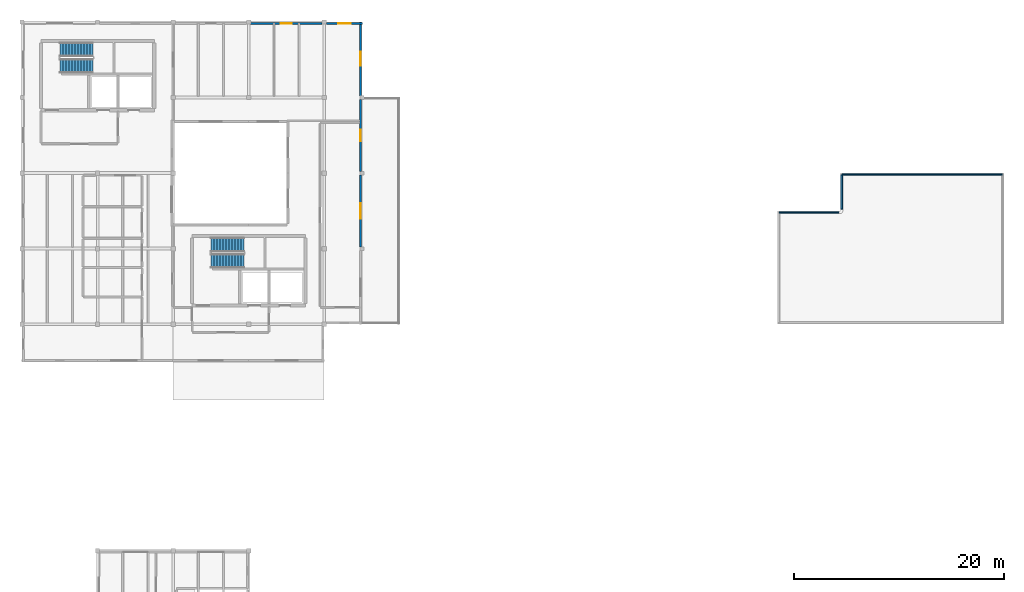
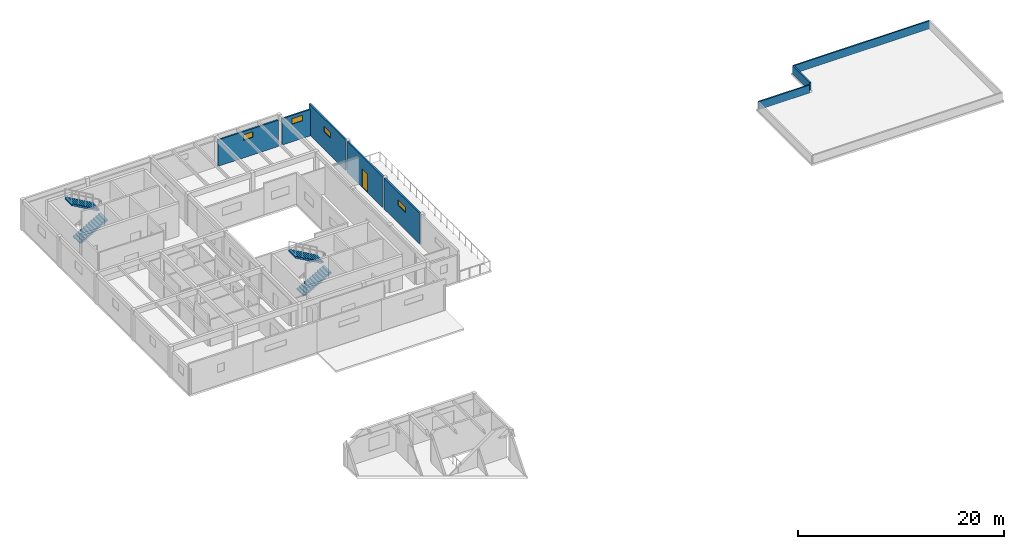
# One storey, part 7 of 12: 8 walls, 4 stair flights, 4 windows, 1 door, 5 openings, 2 elements without a shape of their own.
"""IFC4 building model written with IfcOpenShell, lengths in metres."""

import ifcopenshell
import ifcopenshell.guid

model = None  # the IFC model being written
_history = None  # IfcOwnerHistory: only IFC2X3 demands one
_inside = {}  # id of a spatial element -> (the spatial element, [elements in it])
_under = {}  # id of a project, library or spatial element -> (it, [spatial elements below it])
_declared = {}  # id of a project -> (the project, [libraries it declares])
_typed = {}  # id of a type object -> (the type object, [elements of that type])
_made_of = {}  # id of a material, layer set ... -> (it, [elements and type objects made of it])


def new_model(schema):
    """Start an empty IFC model of exactly this schema.

    Asked for "IFC4X3", IfcOpenShell would pick the latest addendum, in which some entities
    have other attributes; the version numbers below select the first issue.
    IFC2X3 requires an IfcOwnerHistory on every rooted entity: one is made here for all.
    """
    global model, _history
    if schema == "IFC4X3":
        model = ifcopenshell.file(schema_version=(4, 3, 0, 0))
    else:
        model = ifcopenshell.file(schema=schema)
    _inside.clear()
    _under.clear()
    _declared.clear()
    _typed.clear()
    _made_of.clear()
    _history = None
    if model.schema == "IFC2X3":
        org = make("IfcOrganization", Name="unknown")
        user = make(
            "IfcPersonAndOrganization",
            ThePerson=make("IfcPerson", FamilyName="unknown"),
            TheOrganization=org,
        )
        app = make(
            "IfcApplication",
            ApplicationDeveloper=org,
            Version="unknown",
            ApplicationFullName="unknown",
            ApplicationIdentifier="unknown",
        )
        _history = make(
            "IfcOwnerHistory",
            OwningUser=user,
            OwningApplication=app,
            ChangeAction="ADDED",
            CreationDate=0,
        )
    return model


def make(cls, **values):
    """One entity of the class cls with the attributes given. An attribute that is None is left unset."""
    return model.create_entity(
        cls, **{name: value for name, value in values.items() if value is not None}
    )


def rooted(cls, **values):
    """An entity with a GlobalId (a new one), such as an element, a storey or a relation."""
    return make(cls, GlobalId=ifcopenshell.guid.new(), OwnerHistory=_history, **values)


def si_unit(unit_type, name, prefix=None):
    """IfcSIUnit, for example si_unit("LENGTHUNIT", "METRE", prefix="MILLI")."""
    return make("IfcSIUnit", UnitType=unit_type, Prefix=prefix, Name=name)


def assignment(units):
    """IfcUnitAssignment: the units of a project."""
    return None if units is None else make("IfcUnitAssignment", Units=units)


def point(xyz):
    """IfcCartesianPoint."""
    return None if xyz is None else make("IfcCartesianPoint", Coordinates=xyz)


def direction(xyz):
    """IfcDirection."""
    return None if xyz is None else make("IfcDirection", DirectionRatios=xyz)


def frame(location, z_axis=None, x_axis=None):
    """IfcAxis2Placement3D, a coordinate frame: its origin and axes. An axis left out is left unset."""
    return make(
        "IfcAxis2Placement3D",
        Location=point(location),
        Axis=direction(z_axis),
        RefDirection=direction(x_axis),
    )


def frame_2d(location, x_axis=None):
    """IfcAxis2Placement2D, a coordinate frame in the plane: its origin and x axis."""
    return make(
        "IfcAxis2Placement2D", Location=point(location), RefDirection=direction(x_axis)
    )


def origin():
    """The frame at (0, 0, 0) with its axes left unset."""
    return frame((0.0, 0.0, 0.0))


def place(relative_to, where):
    """IfcLocalPlacement: puts the frame where relative to a parent placement (None: the world)."""
    return make(
        "IfcLocalPlacement", PlacementRelTo=relative_to, RelativePlacement=where
    )


def context(
    kind, dimensions, precision=None, world=None, true_north=None, identifier=None
):
    """IfcGeometricRepresentationContext, for example the 3D "Model" context."""
    return make(
        "IfcGeometricRepresentationContext",
        ContextIdentifier=identifier,
        ContextType=kind,
        CoordinateSpaceDimension=dimensions,
        Precision=precision,
        WorldCoordinateSystem=world,
        TrueNorth=true_north,
    )


def subcontext(parent, identifier, kind, view, scale=None):
    """IfcGeometricRepresentationSubContext, for example "Body" below "Model"."""
    return make(
        "IfcGeometricRepresentationSubContext",
        ContextIdentifier=identifier,
        ContextType=kind,
        ParentContext=parent,
        TargetScale=scale,
        TargetView=view,
    )


def project(units=None, contexts=None):
    """IfcProject with its units and contexts."""
    return rooted(
        "IfcProject",
        Name="project",
        RepresentationContexts=contexts,
        UnitsInContext=assignment(units),
    )


def spatial(cls, under=None, at=None, **own):
    """A site, building, storey or space (cls), placed at a placement, below another one or the project."""
    s = rooted(cls, ObjectPlacement=at, **own)
    if under is not None:
        _under.setdefault(under.id(), (under, []))[1].append(s)
    return s


def polyline(points):
    """IfcPolyline through the points."""
    return make("IfcPolyline", Points=[point(p) for p in points])


def profile(cls, at=None, kind="AREA", **sizes):
    """A parametric profile (cls). Its sizes go by their IFC names, for example OverallWidth=200.0."""
    return make(cls, ProfileType=kind, Position=at, **sizes)


def rectangle(**sizes):
    """IfcRectangleProfileDef."""
    return profile("IfcRectangleProfileDef", **sizes)


def outline(outer, holes=None, kind="AREA"):
    """IfcArbitraryClosedProfileDef: a profile drawn as a closed curve; with holes, ...WithVoids."""
    if holes is None:
        return make("IfcArbitraryClosedProfileDef", ProfileType=kind, OuterCurve=outer)
    return make(
        "IfcArbitraryProfileDefWithVoids",
        ProfileType=kind,
        OuterCurve=outer,
        InnerCurves=holes,
    )


def extrude(swept, where, along, depth):
    """IfcExtrudedAreaSolid: the profile swept, set in the frame where, extruded along a direction by depth."""
    return make(
        "IfcExtrudedAreaSolid",
        SweptArea=swept,
        Position=where,
        ExtrudedDirection=direction(along),
        Depth=depth,
    )


def shape(context_of_items, identifier, shape_type, items):
    """IfcShapeRepresentation: the items that make up one representation, for example the "Body"."""
    return make(
        "IfcShapeRepresentation",
        ContextOfItems=context_of_items,
        RepresentationIdentifier=identifier,
        RepresentationType=shape_type,
        Items=items,
    )


def material(Name=None, Category=None):
    """IfcMaterial."""
    return make("IfcMaterial", Name=Name, Category=Category)


def layer(
    of_material, thickness, ventilated=None, Name=None, Category=None, Priority=None
):
    """IfcMaterialLayer: one layer of a wall or slab, of a material (None: an air gap)."""
    return make(
        "IfcMaterialLayer",
        Material=of_material,
        LayerThickness=thickness,
        IsVentilated=ventilated,
        Name=Name,
        Category=Category,
        Priority=Priority,
    )


def layer_set(layers, Name=None):
    """IfcMaterialLayerSet."""
    return make("IfcMaterialLayerSet", MaterialLayers=layers, LayerSetName=Name)


def made_of(thing, what):
    """Note that an element or type object is made of a material, layer set ...; save() writes the relation."""
    if what is not None:
        _made_of.setdefault(what.id(), (what, []))[1].append(thing)
    return thing


def type_object(cls, material=None, **own):
    """A type object (cls), such as IfcWallType, which elements share."""
    return made_of(rooted(cls, **own), material)


def element(
    cls,
    number,
    at=None,
    inside=None,
    cuts=None,
    type_object=None,
    material=None,
    context=None,
    identifier="Body",
    shape_type=None,
    held_by="IfcProductDefinitionShape",
    body=None,
    shapes=None,
    **own,
):
    """One element of the class cls, such as IfcWall. Its Tag is "e" and its number.

    at: its placement. inside: the storey or other place that contains it. cuts: it is an
    opening in that element (IfcRelVoidsElement). A single representation is given by context,
    identifier, shape_type and body (its items); several are given by shapes. held_by: the class
    of the entity that holds the representations. save() writes the other relations.
    """
    e = rooted(cls, Tag="e%d" % number, ObjectPlacement=at, **own)
    if body is not None:
        shapes = [shape(context, identifier, shape_type, body)]
    if shapes is not None:
        e.Representation = make(held_by, Representations=shapes)
    if inside is not None:
        _inside.setdefault(inside.id(), (inside, []))[1].append(e)
    if cuts is not None:
        rooted(
            "IfcRelVoidsElement", RelatingBuildingElement=cuts, RelatedOpeningElement=e
        )
    if type_object is not None:
        _typed.setdefault(type_object.id(), (type_object, []))[1].append(e)
    return made_of(e, material)


def fill(opening, filler):
    """IfcRelFillsElement: the door or window that sits in an opening."""
    return rooted(
        "IfcRelFillsElement",
        RelatingOpeningElement=opening,
        RelatedBuildingElement=filler,
    )


def aggregate(whole, parts):
    """IfcRelAggregates: a whole, such as a stair, and the parts it consists of."""
    return rooted("IfcRelAggregates", RelatingObject=whole, RelatedObjects=parts)


def save(model, path):
    """Write the relations noted so far, then the file.

    IfcRelAggregates (storeys below a building ...), IfcRelContainedInSpatialStructure (elements
    in a storey), IfcRelDefinesByType, IfcRelAssociatesMaterial and IfcRelDeclares: one each for
    every whole, place, type object, material and project.
    """
    for whole, parts in _under.values():
        aggregate(whole, parts)
    for where, things in _inside.values():
        rooted(
            "IfcRelContainedInSpatialStructure",
            RelatedElements=things,
            RelatingStructure=where,
        )
    for kind, things in _typed.values():
        rooted("IfcRelDefinesByType", RelatedObjects=things, RelatingType=kind)
    for what, things in _made_of.values():
        rooted("IfcRelAssociatesMaterial", RelatedObjects=things, RelatingMaterial=what)
    for by, libraries in _declared.values():
        rooted("IfcRelDeclares", RelatingContext=by, RelatedDefinitions=libraries)
    model.write(path)


model = new_model("IFC4")

# Units and contexts
model_context = context("Model", 3, precision=1e-05, world=origin(), true_north=direction((0.0, 1.0)))
body_context = subcontext(model_context, "Body", "Model", "MODEL_VIEW")
ifc_project = project(units=[si_unit("LENGTHUNIT", "METRE"), si_unit("AREAUNIT", "SQUARE_METRE"), si_unit("VOLUMEUNIT", "CUBIC_METRE"), si_unit("PLANEANGLEUNIT", "RADIAN"), si_unit("MASSUNIT", "GRAM", prefix="KILO")], contexts=[model_context])

# Site, building, storey
site_placement = place(None, origin())
site = spatial("IfcSite", under=ifc_project, at=site_placement, CompositionType="ELEMENT")
building_placement = place(site_placement, origin())
building = spatial("IfcBuilding", under=site, at=building_placement, Name="Bramvelor Terrace Health Centre", CompositionType="ELEMENT")
storey_placement = place(building_placement, frame((0.0, 0.0, 17.699951171875)))
storey = spatial("IfcBuildingStorey", under=building, at=storey_placement, Name="L05", CompositionType="ELEMENT", Elevation=17.699951171875)

# Wall, opening, window
ifc_material_1 = material(Name="Cross-laminated timber C24", Category="wood")
ifc_layer_1 = layer(ifc_material_1, 0.18505859375)
ifc_layer_set_1 = layer_set([ifc_layer_1], Name="Cross-laminated timber C24")
wall_type_1 = type_object("IfcWallType", Name="WL-EXT-CLT185", PredefinedType="SOLIDWALL", material=ifc_layer_set_1)
wall_1_placement = place(storey_placement, frame((21.794921875, 115.070068359375, 0.0), z_axis=(0.0, 0.0, 1.0), x_axis=(1.0, 0.0, 0.0)))
wall_1 = element("IfcWall", 1, at=wall_1_placement, inside=storey, type_object=wall_type_1, Name="L05 Exterior Facade Wall 19", PredefinedType="SOLIDWALL", context=body_context, shape_type="SweptSolid", body=[
    extrude(rectangle(XDim=6.81005859375, YDim=0.18505859375, at=frame_2d((3.405029296875, 0.0))), origin(), (0.0, 0.0, 1.0), 3.130126953125),
])
opening_1_placement = place(wall_1_placement, frame((2.8798828125, 0.0, 2.10009765625)))
opening_1 = element("IfcOpeningElement", 2, at=opening_1_placement, cuts=wall_1, Name="Opening WN-03", PredefinedType="OPENING", context=body_context, shape_type="SweptSolid", body=[
    extrude(rectangle(XDim=1.050048828125, YDim=0.64990234375, at=frame_2d((0.52490234375, 0.324951171875))), frame((0.0, 0.1025390625, 0.0), z_axis=(0.0, -1.0, 0.0), x_axis=(1.0, 0.0, 0.0)), (0.0, 0.0, 1.0), 0.205078125),
])
ifc_material_2 = material(Name="Double low-E laminated glass", Category="glass")
window_type_1 = type_object("IfcWindowType", Name="WIN-EXT-03", PartitioningType="SINGLE_PANEL", PredefinedType="WINDOW", material=ifc_material_2)
window_1_placement = place(opening_1_placement, origin())
window_1 = element("IfcWindow", 3, at=window_1_placement, inside=storey, type_object=window_type_1, Name="L05 Scheduled Clinical Window 243", OverallHeight=0.64990234375, OverallWidth=1.050048828125, PartitioningType="SINGLE_PANEL", PredefinedType="WINDOW", context=body_context, shape_type="SweptSolid", body=[
    extrude(rectangle(XDim=1.050048828125, YDim=0.64990234375, at=frame_2d((0.52490234375, 0.324951171875))), frame((0.0, 0.030029296875, 0.0), z_axis=(0.0, -1.0, 0.0), x_axis=(1.0, 0.0, 0.0)), (0.0, 0.0, 1.0), 0.06005859375),
])
fill(opening_1, window_1)

wall_2_placement = place(storey_placement, frame((28.9951171875, 115.070068359375, 0.0), z_axis=(0.0, 0.0, 1.0), x_axis=(1.0, 0.0, 0.0)))
wall_2 = element("IfcWall", 4, at=wall_2_placement, inside=storey, type_object=wall_type_1, Name="L05 Exterior Facade Wall 20", PredefinedType="SOLIDWALL", context=body_context, shape_type="SweptSolid", body=[
    extrude(rectangle(XDim=3.44482421875, YDim=0.18505859375, at=frame_2d((1.722412109375, 0.0))), origin(), (0.0, 0.0, 1.0), 3.130126953125),
])
opening_2_placement = place(wall_2_placement, frame((1.12255859375, 0.0, 2.10009765625)))
opening_2 = element("IfcOpeningElement", 5, at=opening_2_placement, cuts=wall_2, Name="Opening WN-04", PredefinedType="OPENING", context=body_context, shape_type="SweptSolid", body=[
    extrude(rectangle(XDim=1.199951171875, YDim=0.64990234375, at=frame_2d((0.60009765625, 0.324951171875))), frame((0.0, 0.1025390625, 0.0), z_axis=(0.0, -1.0, 0.0), x_axis=(1.0, 0.0, 0.0)), (0.0, 0.0, 1.0), 0.205078125),
])
ifc_material_3 = material(Name="Double low-E laminated glass", Category="glass")
window_type_2 = type_object("IfcWindowType", Name="WIN-EXT-04", PartitioningType="SINGLE_PANEL", PredefinedType="WINDOW", material=ifc_material_3)
window_2_placement = place(opening_2_placement, origin())
window_2 = element("IfcWindow", 6, at=window_2_placement, inside=storey, type_object=window_type_2, Name="L05 Scheduled Clinical Window 244", OverallHeight=0.64990234375, OverallWidth=1.199951171875, PartitioningType="SINGLE_PANEL", PredefinedType="WINDOW", context=body_context, shape_type="SweptSolid", body=[
    extrude(rectangle(XDim=1.199951171875, YDim=0.64990234375, at=frame_2d((0.60009765625, 0.324951171875))), frame((0.0, 0.030029296875, 0.0), z_axis=(0.0, -1.0, 0.0), x_axis=(1.0, 0.0, 0.0)), (0.0, 0.0, 1.0), 0.06005859375),
])
fill(opening_2, window_2)

wall_3_placement = place(storey_placement, frame((32.27001953125, 115.219970703125, 0.0), z_axis=(0.0, 0.0, 1.0), x_axis=(0.0, -1.0, 0.0)))
wall_3 = element("IfcWall", 7, at=wall_3_placement, inside=storey, type_object=wall_type_1, Name="L05 Exterior Facade Wall 21", PredefinedType="SOLIDWALL", context=body_context, shape_type="SweptSolid", body=[
    extrude(rectangle(XDim=7.044921875, YDim=0.18505859375, at=frame_2d((3.5224609375, 0.0))), origin(), (0.0, 0.0, 1.0), 3.670166015625),
])
opening_3_placement = place(wall_3_placement, frame((2.847412109375, 0.0, 2.10009765625)))
opening_3 = element("IfcOpeningElement", 8, at=opening_3_placement, cuts=wall_3, Name="Opening WN-05", PredefinedType="OPENING", context=body_context, shape_type="SweptSolid", body=[
    extrude(rectangle(XDim=1.35009765625, YDim=0.64990234375, at=frame_2d((0.675048828125, 0.324951171875))), frame((0.0, 0.1025390625, 0.0), z_axis=(0.0, -1.0, 0.0), x_axis=(1.0, 0.0, 0.0)), (0.0, 0.0, 1.0), 0.205078125),
])
ifc_material_4 = material(Name="Double low-E laminated glass", Category="glass")
window_type_3 = type_object("IfcWindowType", Name="WIN-EXT-05", PartitioningType="SINGLE_PANEL", PredefinedType="WINDOW", material=ifc_material_4)
window_3_placement = place(opening_3_placement, origin())
window_3 = element("IfcWindow", 9, at=window_3_placement, inside=storey, type_object=window_type_3, Name="L05 Scheduled Clinical Window 245", OverallHeight=0.64990234375, OverallWidth=1.35009765625, PartitioningType="SINGLE_PANEL", PredefinedType="WINDOW", context=body_context, shape_type="SweptSolid", body=[
    extrude(rectangle(XDim=1.35009765625, YDim=0.64990234375, at=frame_2d((0.675048828125, 0.324951171875))), frame((0.0, 0.030029296875, 0.0), z_axis=(0.0, -1.0, 0.0), x_axis=(1.0, 0.0, 0.0)), (0.0, 0.0, 1.0), 0.06005859375),
])
fill(opening_3, window_3)

# Wall, opening, door
wall_4_placement = place(storey_placement, frame((32.27001953125, 107.824951171875, 0.0), z_axis=(0.0, 0.0, 1.0), x_axis=(0.0, -1.0, 0.0)))
wall_4 = element("IfcWall", 10, at=wall_4_placement, inside=storey, type_object=wall_type_1, Name="L05 Exterior Facade Wall 22", PredefinedType="SOLIDWALL", context=body_context, shape_type="SweptSolid", body=[
    extrude(rectangle(XDim=6.849853515625, YDim=0.18505859375, at=frame_2d((3.4248046875, 0.0))), origin(), (0.0, 0.0, 1.0), 3.670166015625),
])
opening_4_placement = place(wall_4_placement, frame((2.885009765625, 0.0, 0.0)))
opening_4 = element("IfcOpeningElement", 11, at=opening_4_placement, cuts=wall_4, Name="Opening ED-10", PredefinedType="OPENING", context=body_context, shape_type="SweptSolid", body=[
    extrude(rectangle(XDim=1.080078125, YDim=2.199951171875, at=frame_2d((0.5400390625, 1.10009765625))), frame((0.0, 0.1025390625, 0.0), z_axis=(0.0, -1.0, 0.0), x_axis=(1.0, 0.0, 0.0)), (0.0, 0.0, 1.0), 0.205078125),
])
ifc_material_5 = material(Name="Anodized aluminium and laminated glass", Category="aluminium")
door_type = type_object("IfcDoorType", Name="DR-EXT-TER-108", OperationType="NOTDEFINED", PredefinedType="DOOR", material=ifc_material_5)
door_placement = place(opening_4_placement, origin())
door = element("IfcDoor", 12, at=door_placement, inside=storey, type_object=door_type, Name="L05 Exterior Door 15", OperationType="SINGLE_SWING_LEFT", OverallHeight=2.199951171875, OverallWidth=1.080078125, PredefinedType="DOOR", context=body_context, shape_type="SweptSolid", body=[
    extrude(rectangle(XDim=1.080078125, YDim=2.199951171875, at=frame_2d((0.5400390625, 1.10009765625))), frame((0.0, 0.02490234375, 0.0), z_axis=(0.0, -1.0, 0.0), x_axis=(1.0, 0.0, 0.0)), (0.0, 0.0, 1.0), 0.050048828125),
])
fill(opening_4, door)

# Wall, opening, window
wall_5_placement = place(storey_placement, frame((32.27001953125, 100.625, 0.0), z_axis=(0.0, 0.0, 1.0), x_axis=(0.0, -1.0, 0.0)))
wall_5 = element("IfcWall", 13, at=wall_5_placement, inside=storey, type_object=wall_type_1, Name="L05 Exterior Facade Wall 23", PredefinedType="SOLIDWALL", context=body_context, shape_type="SweptSolid", body=[
    extrude(rectangle(XDim=6.85009765625, YDim=0.18505859375, at=frame_2d((3.425048828125, 0.0))), origin(), (0.0, 0.0, 1.0), 3.670166015625),
])
opening_5_placement = place(wall_5_placement, frame((2.675048828125, 0.0, 2.10009765625)))
opening_5 = element("IfcOpeningElement", 14, at=opening_5_placement, cuts=wall_5, Name="Opening WN-06", PredefinedType="OPENING", context=body_context, shape_type="SweptSolid", body=[
    extrude(rectangle(XDim=1.5, YDim=0.64990234375, at=frame_2d((0.75, 0.324951171875))), frame((0.0, 0.1025390625, 0.0), z_axis=(0.0, -1.0, 0.0), x_axis=(1.0, 0.0, 0.0)), (0.0, 0.0, 1.0), 0.205078125),
])
ifc_material_6 = material(Name="Double low-E laminated glass", Category="glass")
window_type_4 = type_object("IfcWindowType", Name="WIN-EXT-06", PartitioningType="SINGLE_PANEL", PredefinedType="WINDOW", material=ifc_material_6)
window_4_placement = place(opening_5_placement, origin())
window_4 = element("IfcWindow", 15, at=window_4_placement, inside=storey, type_object=window_type_4, Name="L05 Scheduled Clinical Window 246", OverallHeight=0.64990234375, OverallWidth=1.5, PartitioningType="SINGLE_PANEL", PredefinedType="WINDOW", context=body_context, shape_type="SweptSolid", body=[
    extrude(rectangle(XDim=1.5, YDim=0.64990234375, at=frame_2d((0.75, 0.324951171875))), frame((0.0, 0.030029296875, 0.0), z_axis=(0.0, -1.0, 0.0), x_axis=(1.0, 0.0, 0.0)), (0.0, 0.0, 1.0), 0.06005859375),
])
fill(opening_5, window_4)

# Walls
ifc_material_7 = material(Name="Precast concrete C40/50", Category="concrete")
ifc_layer_2 = layer(ifc_material_7, 0.155029296875)
ifc_layer_set_2 = layer_set([ifc_layer_2], Name="Precast concrete C40/50")
wall_type_2 = type_object("IfcWallType", Name="WL-PAR-155", PredefinedType="PARAPET", material=ifc_layer_set_2)
wall_6_placement = place(storey_placement, frame((78.159912109375, 100.659912109375, 0.0), z_axis=(0.0, 0.0, 1.0), x_axis=(1.0, 0.0, 0.0)))
element("IfcWall", 16, at=wall_6_placement, inside=storey, type_object=wall_type_2, Name="L05 Roof Parapet Upstand 31", PredefinedType="PARAPET", context=body_context, shape_type="SweptSolid", body=[
    extrude(rectangle(XDim=15.280029296875, YDim=0.155029296875, at=frame_2d((7.64013671875, 0.0))), origin(), (0.0, 0.0, 1.0), 0.949951171875),
])
wall_7_placement = place(storey_placement, frame((72.159912109375, 97.06005859375, 0.0), z_axis=(0.0, 0.0, 1.0), x_axis=(1.0, 0.0, 0.0)))
element("IfcWall", 17, at=wall_7_placement, inside=storey, type_object=wall_type_2, Name="L05 Roof Parapet Upstand 35", PredefinedType="PARAPET", context=body_context, shape_type="SweptSolid", body=[
    extrude(rectangle(XDim=5.68017578125, YDim=0.155029296875, at=frame_2d((2.840087890625, 0.0))), origin(), (0.0, 0.0, 1.0), 0.949951171875),
])
ifc_material_8 = material(Name="Precast concrete C40/50", Category="concrete")
ifc_layer_3 = layer(ifc_material_8, 0.175048828125)
ifc_layer_set_3 = layer_set([ifc_layer_3], Name="Precast concrete C40/50")
wall_type_3 = type_object("IfcWallType", Name="WL-PAR-175", PredefinedType="PARAPET", material=ifc_layer_set_3)
wall_8_placement = place(storey_placement, frame((78.139892578125, 97.360107421875, 0.0), z_axis=(0.0, 0.0, 1.0), x_axis=(0.0, 1.0, 0.0)))
element("IfcWall", 18, at=wall_8_placement, inside=storey, type_object=wall_type_3, Name="L05 Roof Parapet Upstand 36", PredefinedType="PARAPET", context=body_context, shape_type="SweptSolid", body=[
    extrude(rectangle(XDim=3.27978515625, YDim=0.175048828125, at=frame_2d((1.639892578125, 0.0))), origin(), (0.0, 0.0, 1.0), 0.949951171875),
])

# Stair, stair flights
ifc_material_9 = material(Name="Concrete C40/50", Category="concrete")
stair_type = type_object("IfcStairType", Name="STR-CORE", PredefinedType="HALF_TURN_STAIR", material=ifc_material_9)
stair_1_placement = place(storey_placement, origin())
stair_1 = element("IfcStair", 19, at=stair_1_placement, inside=storey, type_object=stair_type, Name="L05 C1 Primary Fire Stair", PredefinedType="HALF_TURN_STAIR")
ifc_material_10 = material(Name="Concrete C40/50", Category="concrete")
stair_flight_type = type_object("IfcStairFlightType", Name="STRF-CORE", PredefinedType="STRAIGHT", material=ifc_material_10)
stair_flight_1_placement = place(storey_placement, frame((3.60009765625, 111.02490234375, 0.0), z_axis=(0.0, 0.0, 1.0), x_axis=(1.0, 0.0, 0.0)))
stair_flight_1 = element("IfcStairFlight", 20, at=stair_flight_1_placement, type_object=stair_flight_type, Name="ST-1 flight 1", NumberOfRisers=12, NumberOfTreads=11, PredefinedType="STRAIGHT", RiserHeight=0.1625, TreadLength=0.285, context=body_context, shape_type="SweptSolid", body=[
    extrude(outline(polyline([(0.0, 0.0), (0.0, 0.16259765625), (0.284912109375, 0.16259765625), (0.284912109375, 0.324951171875), (0.570068359375, 0.324951171875), (0.570068359375, 0.487548828125), (0.85498046875, 0.487548828125), (0.85498046875, 0.64990234375), (1.139892578125, 0.64990234375), (1.139892578125, 0.8125), (1.425048828125, 0.8125), (1.425048828125, 0.97509765625), (1.7099609375, 0.97509765625), (1.7099609375, 1.137451171875), (1.9951171875, 1.137451171875), (1.9951171875, 1.300048828125), (2.280029296875, 1.300048828125), (2.280029296875, 1.46240234375), (2.56494140625, 1.46240234375), (2.56494140625, 1.625), (2.85009765625, 1.625), (2.85009765625, 1.78759765625), (3.135009765625, 1.78759765625), (3.135009765625, 1.949951171875), (3.135009765625, 1.614990234375), (0.302734375, 0.0), (0.0, 0.0)])), frame((0.0, 0.675048828125, 0.0), z_axis=(0.0, -1.0, 0.0), x_axis=(1.0, 0.0, 0.0)), (0.0, 0.0, 1.0), 1.35009765625),
])
stair_flight_2_placement = place(storey_placement, frame((6.735107421875, 112.574951171875, 1.949951171875), z_axis=(0.0, 0.0, 1.0), x_axis=(-1.0, 0.0, 0.0)))
stair_flight_2 = element("IfcStairFlight", 21, at=stair_flight_2_placement, type_object=stair_flight_type, Name="ST-1 flight 2", NumberOfRisers=12, NumberOfTreads=11, PredefinedType="STRAIGHT", RiserHeight=0.1625, TreadLength=0.285, context=body_context, shape_type="SweptSolid", body=[
    extrude(outline(polyline([(0.0, 0.0), (0.0, 0.16259765625), (0.284912109375, 0.16259765625), (0.284912109375, 0.324951171875), (0.570068359375, 0.324951171875), (0.570068359375, 0.487548828125), (0.85498046875, 0.487548828125), (0.85498046875, 0.64990234375), (1.139892578125, 0.64990234375), (1.139892578125, 0.8125), (1.425048828125, 0.8125), (1.425048828125, 0.97509765625), (1.7099609375, 0.97509765625), (1.7099609375, 1.137451171875), (1.9951171875, 1.137451171875), (1.9951171875, 1.300048828125), (2.280029296875, 1.300048828125), (2.280029296875, 1.46240234375), (2.56494140625, 1.46240234375), (2.56494140625, 1.625), (2.85009765625, 1.625), (2.85009765625, 1.78759765625), (3.135009765625, 1.78759765625), (3.135009765625, 1.949951171875), (3.135009765625, 1.614990234375), (0.302734375, 0.0), (0.0, 0.0)])), frame((0.0, 0.675048828125, 0.0), z_axis=(0.0, -1.0, 0.0), x_axis=(1.0, 0.0, 0.0)), (0.0, 0.0, 1.0), 1.35009765625),
])
aggregate(stair_1, [stair_flight_1, stair_flight_2])

stair_2_placement = place(storey_placement, origin())
stair_2 = element("IfcStair", 22, at=stair_2_placement, inside=storey, type_object=stair_type, Name="L05 C2 Primary Fire Stair", PredefinedType="HALF_TURN_STAIR")
stair_flight_3_placement = place(storey_placement, frame((18.0, 92.425048828125, 0.0), z_axis=(0.0, 0.0, 1.0), x_axis=(1.0, 0.0, 0.0)))
stair_flight_3 = element("IfcStairFlight", 23, at=stair_flight_3_placement, type_object=stair_flight_type, Name="ST-2 flight 1", NumberOfRisers=12, NumberOfTreads=11, PredefinedType="STRAIGHT", RiserHeight=0.1625, TreadLength=0.285, context=body_context, shape_type="SweptSolid", body=[
    extrude(outline(polyline([(0.0, 0.0), (0.0, 0.16259765625), (0.284912109375, 0.16259765625), (0.284912109375, 0.324951171875), (0.570068359375, 0.324951171875), (0.570068359375, 0.487548828125), (0.85498046875, 0.487548828125), (0.85498046875, 0.64990234375), (1.139892578125, 0.64990234375), (1.139892578125, 0.8125), (1.425048828125, 0.8125), (1.425048828125, 0.97509765625), (1.7099609375, 0.97509765625), (1.7099609375, 1.137451171875), (1.9951171875, 1.137451171875), (1.9951171875, 1.300048828125), (2.280029296875, 1.300048828125), (2.280029296875, 1.46240234375), (2.56494140625, 1.46240234375), (2.56494140625, 1.625), (2.85009765625, 1.625), (2.85009765625, 1.78759765625), (3.135009765625, 1.78759765625), (3.135009765625, 1.949951171875), (3.135009765625, 1.614990234375), (0.302734375, 0.0), (0.0, 0.0)])), frame((0.0, 0.675048828125, 0.0), z_axis=(0.0, -1.0, 0.0), x_axis=(1.0, 0.0, 0.0)), (0.0, 0.0, 1.0), 1.35009765625),
])
stair_flight_4_placement = place(storey_placement, frame((21.135009765625, 93.97509765625, 1.949951171875), z_axis=(0.0, 0.0, 1.0), x_axis=(-1.0, 0.0, 0.0)))
stair_flight_4 = element("IfcStairFlight", 24, at=stair_flight_4_placement, type_object=stair_flight_type, Name="ST-2 flight 2", NumberOfRisers=12, NumberOfTreads=11, PredefinedType="STRAIGHT", RiserHeight=0.1625, TreadLength=0.285, context=body_context, shape_type="SweptSolid", body=[
    extrude(outline(polyline([(0.0, 0.0), (0.0, 0.16259765625), (0.284912109375, 0.16259765625), (0.284912109375, 0.324951171875), (0.570068359375, 0.324951171875), (0.570068359375, 0.487548828125), (0.85498046875, 0.487548828125), (0.85498046875, 0.64990234375), (1.139892578125, 0.64990234375), (1.139892578125, 0.8125), (1.425048828125, 0.8125), (1.425048828125, 0.97509765625), (1.7099609375, 0.97509765625), (1.7099609375, 1.137451171875), (1.9951171875, 1.137451171875), (1.9951171875, 1.300048828125), (2.280029296875, 1.300048828125), (2.280029296875, 1.46240234375), (2.56494140625, 1.46240234375), (2.56494140625, 1.625), (2.85009765625, 1.625), (2.85009765625, 1.78759765625), (3.135009765625, 1.78759765625), (3.135009765625, 1.949951171875), (3.135009765625, 1.614990234375), (0.302734375, 0.0), (0.0, 0.0)])), frame((0.0, 0.675048828125, 0.0), z_axis=(0.0, -1.0, 0.0), x_axis=(1.0, 0.0, 0.0)), (0.0, 0.0, 1.0), 1.35009765625),
])
aggregate(stair_2, [stair_flight_3, stair_flight_4])

save(model, "model.ifc")
